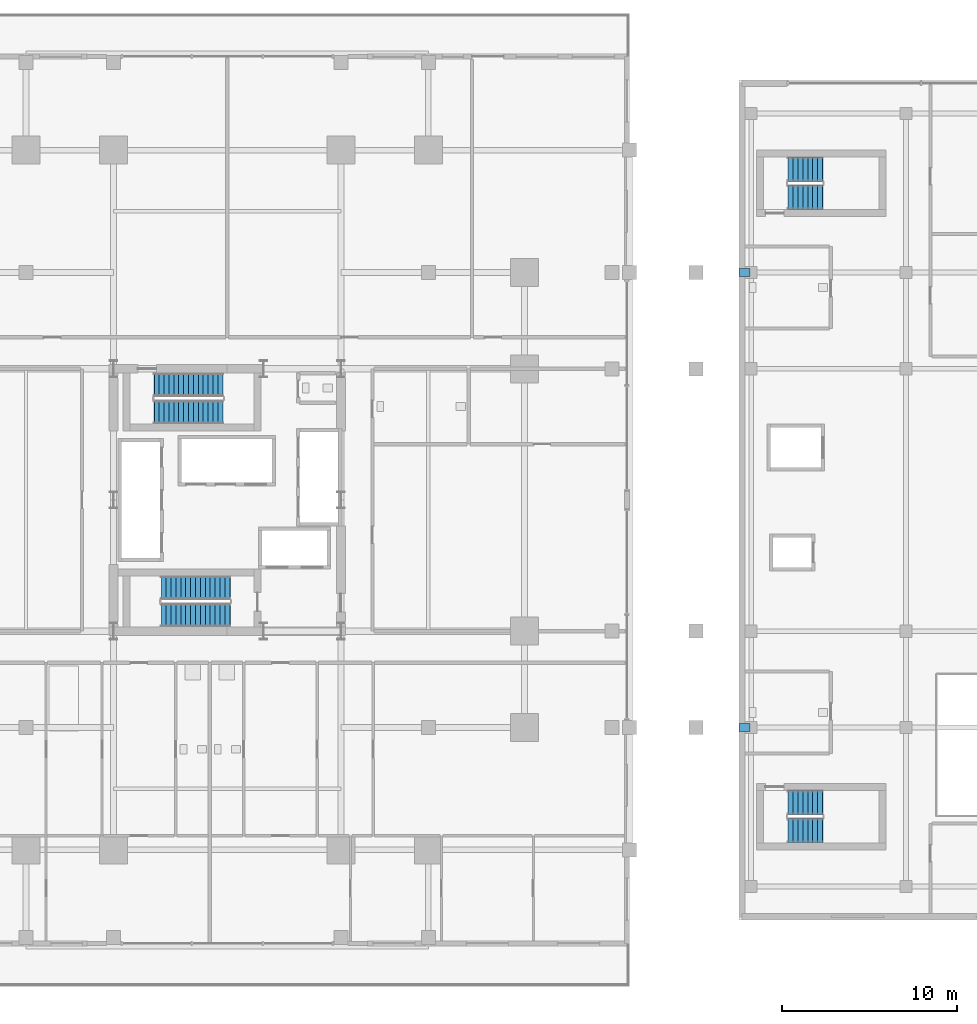
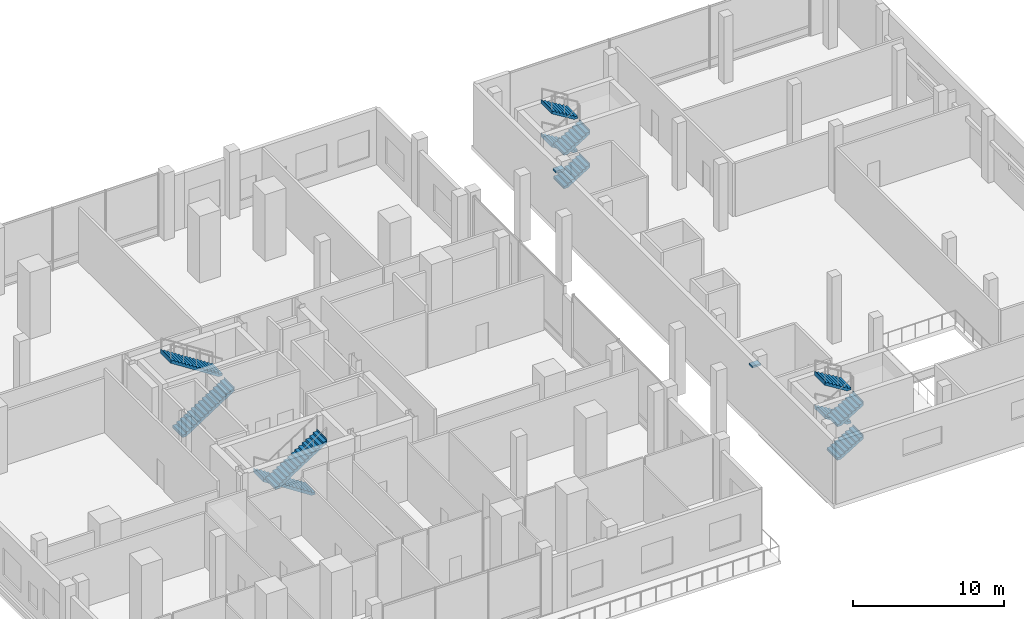
# One storey, part 25 of 32: 12 stair flights, 2 discrete accessories, 4 elements without a shape of their own.
"""IFC4 building model written with IfcOpenShell, lengths in metres."""

from ifc_helpers import new_model, si_unit, direction, frame, origin, origin_2d, place, context, subcontext, project, spatial, polyline, rectangle, outline, extrude, material, type_object, element, aggregate, save


model = new_model("IFC4")

# Units and contexts
model_context = context("Model", 3, precision=1e-05, world=origin(), true_north=direction((0.0, 1.0)))
body_context = subcontext(model_context, "Body", "Model", "MODEL_VIEW")
ifc_project = project(units=[si_unit("LENGTHUNIT", "METRE"), si_unit("AREAUNIT", "SQUARE_METRE"), si_unit("VOLUMEUNIT", "CUBIC_METRE"), si_unit("PLANEANGLEUNIT", "RADIAN"), si_unit("MASSUNIT", "GRAM", prefix="KILO")], contexts=[model_context])

# Site, building, storey
site_placement = place(None, origin())
site = spatial("IfcSite", under=ifc_project, at=site_placement, CompositionType="ELEMENT")
building_placement = place(site_placement, origin())
building = spatial("IfcBuilding", under=site, at=building_placement, Name="Barlavira Tower and Art Museum", CompositionType="ELEMENT")
storey_placement = place(building_placement, frame((0.0, 0.0, 6.0)))
storey = spatial("IfcBuildingStorey", under=building, at=storey_placement, Name="L01", CompositionType="ELEMENT", Elevation=6.0)

# Stair, stair flights
ifc_material_1 = material(Name="Concrete C45", Category="concrete")
stair_type_1 = type_object("IfcStairType", Name="Museum North Dog-Leg Exit Stair Assembly Concrete C45", PredefinedType="TWO_QUARTER_TURN_STAIR", material=ifc_material_1)
stair_1_placement = place(storey_placement, origin())
stair_1 = element("IfcStair", 1, at=stair_1_placement, inside=storey, type_object=stair_type_1, Name="L01 Museum North Exit Stair ST-M2", PredefinedType="TWO_QUARTER_TURN_STAIR")
ifc_material_2 = material(Name="Precast concrete C45", Category="concrete")
stair_flight_type_1 = type_object("IfcStairFlightType", Name="Museum North Dog-Leg Exit Stair Precast Flight 1400 Concrete C45", PredefinedType="STRAIGHT", material=ifc_material_2)
stair_flight_1_placement = place(storey_placement, frame((32.070068359375, 17.300048828125, 0.0), z_axis=(0.0, 0.0, 1.0), x_axis=(1.0, 0.0, 0.0)))
stair_flight_1 = element("IfcStairFlight", 2, at=stair_flight_1_placement, type_object=stair_flight_type_1, Name="ST-M2 flight 1", NumberOfRisers=8, NumberOfTreads=7, PredefinedType="STRAIGHT", RiserHeight=0.16875, TreadLength=0.28, context=body_context, shape_type="SweptSolid", body=[
    extrude(outline(polyline([(-0.02490234375, 0.0), (0.0, 0.0), (0.0, 0.168701171875), (0.280029296875, 0.168701171875), (0.280029296875, 0.33740234375), (0.56005859375, 0.33740234375), (0.56005859375, 0.50634765625), (0.840087890625, 0.50634765625), (0.840087890625, 0.675048828125), (1.1201171875, 0.675048828125), (1.1201171875, 0.84375), (1.39990234375, 0.84375), (1.39990234375, 1.012451171875), (1.679931640625, 1.012451171875), (1.679931640625, 1.18115234375), (1.9599609375, 1.18115234375), (1.9599609375, 1.35009765625), (1.98486328125, 1.35009765625), (1.98486328125, 1.00634765625), (1.9599609375, 1.00634765625), (0.29052734375, -0.02490234375), (-0.02490234375, -0.02490234375), (-0.02490234375, 0.0)])), frame((0.0, 0.699951171875, 0.0), z_axis=(0.0, -1.0, 0.0), x_axis=(1.0, 0.0, 0.0)), (0.0, 0.0, 1.0), 1.39990234375),
])
stair_flight_2_placement = place(storey_placement, frame((34.030029296875, 18.89990234375, 1.35009765625), z_axis=(0.0, 0.0, 1.0), x_axis=(-1.0, 0.0, 0.0)))
stair_flight_2 = element("IfcStairFlight", 3, at=stair_flight_2_placement, type_object=stair_flight_type_1, Name="ST-M2 flight 2", NumberOfRisers=8, NumberOfTreads=7, PredefinedType="STRAIGHT", RiserHeight=0.16875, TreadLength=0.28, context=body_context, shape_type="SweptSolid", body=[
    extrude(outline(polyline([(-0.02490234375, 0.0), (0.0, 0.0), (0.0, 0.168701171875), (0.280029296875, 0.168701171875), (0.280029296875, 0.33740234375), (0.56005859375, 0.33740234375), (0.56005859375, 0.50634765625), (0.840087890625, 0.50634765625), (0.840087890625, 0.675048828125), (1.1201171875, 0.675048828125), (1.1201171875, 0.84375), (1.39990234375, 0.84375), (1.39990234375, 1.012451171875), (1.679931640625, 1.012451171875), (1.679931640625, 1.18115234375), (1.9599609375, 1.18115234375), (1.9599609375, 1.35009765625), (1.98486328125, 1.35009765625), (1.98486328125, 1.00634765625), (1.9599609375, 1.00634765625), (0.29052734375, -0.02490234375), (-0.02490234375, -0.02490234375), (-0.02490234375, 0.0)])), frame((0.0, 0.699951171875, 0.0), z_axis=(0.0, -1.0, 0.0), x_axis=(1.0, 0.0, 0.0)), (0.0, 0.0, 1.0), 1.39990234375),
])
stair_flight_3_placement = place(storey_placement, frame((32.070068359375, 17.300048828125, 2.699951171875), z_axis=(0.0, 0.0, 1.0), x_axis=(1.0, 0.0, 0.0)))
stair_flight_3 = element("IfcStairFlight", 4, at=stair_flight_3_placement, type_object=stair_flight_type_1, Name="ST-M2 flight 3", NumberOfRisers=8, NumberOfTreads=7, PredefinedType="STRAIGHT", RiserHeight=0.16875, TreadLength=0.28, context=body_context, shape_type="SweptSolid", body=[
    extrude(outline(polyline([(-0.02490234375, 0.0), (0.0, 0.0), (0.0, 0.168701171875), (0.280029296875, 0.168701171875), (0.280029296875, 0.33740234375), (0.56005859375, 0.33740234375), (0.56005859375, 0.50634765625), (0.840087890625, 0.50634765625), (0.840087890625, 0.675048828125), (1.1201171875, 0.675048828125), (1.1201171875, 0.84375), (1.39990234375, 0.84375), (1.39990234375, 1.012451171875), (1.679931640625, 1.012451171875), (1.679931640625, 1.18115234375), (1.9599609375, 1.18115234375), (1.9599609375, 1.35009765625), (1.98486328125, 1.35009765625), (1.98486328125, 1.00634765625), (1.9599609375, 1.00634765625), (0.29052734375, -0.02490234375), (-0.02490234375, -0.02490234375), (-0.02490234375, 0.0)])), frame((0.0, 0.699951171875, 0.0), z_axis=(0.0, -1.0, 0.0), x_axis=(1.0, 0.0, 0.0)), (0.0, 0.0, 1.0), 1.39990234375),
])
stair_flight_4_placement = place(storey_placement, frame((34.030029296875, 18.89990234375, 4.050048828125), z_axis=(0.0, 0.0, 1.0), x_axis=(-1.0, 0.0, 0.0)))
stair_flight_4 = element("IfcStairFlight", 5, at=stair_flight_4_placement, type_object=stair_flight_type_1, Name="ST-M2 flight 4", NumberOfRisers=8, NumberOfTreads=7, PredefinedType="STRAIGHT", RiserHeight=0.16875, TreadLength=0.28, context=body_context, shape_type="SweptSolid", body=[
    extrude(outline(polyline([(-0.02490234375, 0.0), (0.0, 0.0), (0.0, 0.168701171875), (0.280029296875, 0.168701171875), (0.280029296875, 0.33740234375), (0.56005859375, 0.33740234375), (0.56005859375, 0.50634765625), (0.840087890625, 0.50634765625), (0.840087890625, 0.675048828125), (1.1201171875, 0.675048828125), (1.1201171875, 0.84375), (1.39990234375, 0.84375), (1.39990234375, 1.012451171875), (1.679931640625, 1.012451171875), (1.679931640625, 1.18115234375), (1.9599609375, 1.18115234375), (1.9599609375, 1.35009765625), (1.98486328125, 1.35009765625), (1.98486328125, 1.00634765625), (1.9599609375, 1.00634765625), (0.29052734375, -0.02490234375), (-0.02490234375, -0.02490234375), (-0.02490234375, 0.0)])), frame((0.0, 0.699951171875, 0.0), z_axis=(0.0, -1.0, 0.0), x_axis=(1.0, 0.0, 0.0)), (0.0, 0.0, 1.0), 1.39990234375),
])
aggregate(stair_1, [stair_flight_1, stair_flight_2, stair_flight_3, stair_flight_4])

stair_type_2 = type_object("IfcStairType", Name="Museum South Dog-Leg Exit Stair Assembly Concrete C45", PredefinedType="TWO_QUARTER_TURN_STAIR", material=ifc_material_1)
stair_2_placement = place(storey_placement, origin())
stair_2 = element("IfcStair", 6, at=stair_2_placement, inside=storey, type_object=stair_type_2, Name="L01 Museum South Exit Stair ST-M1", PredefinedType="TWO_QUARTER_TURN_STAIR")
stair_flight_type_2 = type_object("IfcStairFlightType", Name="Museum South Dog-Leg Exit Stair Precast Flight 1400 Concrete C45", PredefinedType="STRAIGHT", material=ifc_material_2)
stair_flight_5_placement = place(storey_placement, frame((32.070068359375, -18.89990234375, 0.0), z_axis=(0.0, 0.0, 1.0), x_axis=(1.0, 0.0, 0.0)))
stair_flight_5 = element("IfcStairFlight", 7, at=stair_flight_5_placement, type_object=stair_flight_type_2, Name="ST-M1 flight 1", NumberOfRisers=8, NumberOfTreads=7, PredefinedType="STRAIGHT", RiserHeight=0.16875, TreadLength=0.28, context=body_context, shape_type="SweptSolid", body=[
    extrude(outline(polyline([(-0.02490234375, 0.0), (0.0, 0.0), (0.0, 0.168701171875), (0.280029296875, 0.168701171875), (0.280029296875, 0.33740234375), (0.56005859375, 0.33740234375), (0.56005859375, 0.50634765625), (0.840087890625, 0.50634765625), (0.840087890625, 0.675048828125), (1.1201171875, 0.675048828125), (1.1201171875, 0.84375), (1.39990234375, 0.84375), (1.39990234375, 1.012451171875), (1.679931640625, 1.012451171875), (1.679931640625, 1.18115234375), (1.9599609375, 1.18115234375), (1.9599609375, 1.35009765625), (1.98486328125, 1.35009765625), (1.98486328125, 1.00634765625), (1.9599609375, 1.00634765625), (0.29052734375, -0.02490234375), (-0.02490234375, -0.02490234375), (-0.02490234375, 0.0)])), frame((0.0, 0.699951171875, 0.0), z_axis=(0.0, -1.0, 0.0), x_axis=(1.0, 0.0, 0.0)), (0.0, 0.0, 1.0), 1.39990234375),
])
stair_flight_6_placement = place(storey_placement, frame((34.030029296875, -17.300048828125, 1.35009765625), z_axis=(0.0, 0.0, 1.0), x_axis=(-1.0, 0.0, 0.0)))
stair_flight_6 = element("IfcStairFlight", 8, at=stair_flight_6_placement, type_object=stair_flight_type_2, Name="ST-M1 flight 2", NumberOfRisers=8, NumberOfTreads=7, PredefinedType="STRAIGHT", RiserHeight=0.16875, TreadLength=0.28, context=body_context, shape_type="SweptSolid", body=[
    extrude(outline(polyline([(-0.02490234375, 0.0), (0.0, 0.0), (0.0, 0.168701171875), (0.280029296875, 0.168701171875), (0.280029296875, 0.33740234375), (0.56005859375, 0.33740234375), (0.56005859375, 0.50634765625), (0.840087890625, 0.50634765625), (0.840087890625, 0.675048828125), (1.1201171875, 0.675048828125), (1.1201171875, 0.84375), (1.39990234375, 0.84375), (1.39990234375, 1.012451171875), (1.679931640625, 1.012451171875), (1.679931640625, 1.18115234375), (1.9599609375, 1.18115234375), (1.9599609375, 1.35009765625), (1.98486328125, 1.35009765625), (1.98486328125, 1.00634765625), (1.9599609375, 1.00634765625), (0.29052734375, -0.02490234375), (-0.02490234375, -0.02490234375), (-0.02490234375, 0.0)])), frame((0.0, 0.699951171875, 0.0), z_axis=(0.0, -1.0, 0.0), x_axis=(1.0, 0.0, 0.0)), (0.0, 0.0, 1.0), 1.39990234375),
])
stair_flight_7_placement = place(storey_placement, frame((32.070068359375, -18.89990234375, 2.699951171875), z_axis=(0.0, 0.0, 1.0), x_axis=(1.0, 0.0, 0.0)))
stair_flight_7 = element("IfcStairFlight", 9, at=stair_flight_7_placement, type_object=stair_flight_type_2, Name="ST-M1 flight 3", NumberOfRisers=8, NumberOfTreads=7, PredefinedType="STRAIGHT", RiserHeight=0.16875, TreadLength=0.28, context=body_context, shape_type="SweptSolid", body=[
    extrude(outline(polyline([(-0.02490234375, 0.0), (0.0, 0.0), (0.0, 0.168701171875), (0.280029296875, 0.168701171875), (0.280029296875, 0.33740234375), (0.56005859375, 0.33740234375), (0.56005859375, 0.50634765625), (0.840087890625, 0.50634765625), (0.840087890625, 0.675048828125), (1.1201171875, 0.675048828125), (1.1201171875, 0.84375), (1.39990234375, 0.84375), (1.39990234375, 1.012451171875), (1.679931640625, 1.012451171875), (1.679931640625, 1.18115234375), (1.9599609375, 1.18115234375), (1.9599609375, 1.35009765625), (1.98486328125, 1.35009765625), (1.98486328125, 1.00634765625), (1.9599609375, 1.00634765625), (0.29052734375, -0.02490234375), (-0.02490234375, -0.02490234375), (-0.02490234375, 0.0)])), frame((0.0, 0.699951171875, 0.0), z_axis=(0.0, -1.0, 0.0), x_axis=(1.0, 0.0, 0.0)), (0.0, 0.0, 1.0), 1.39990234375),
])
stair_flight_8_placement = place(storey_placement, frame((34.030029296875, -17.300048828125, 4.050048828125), z_axis=(0.0, 0.0, 1.0), x_axis=(-1.0, 0.0, 0.0)))
stair_flight_8 = element("IfcStairFlight", 10, at=stair_flight_8_placement, type_object=stair_flight_type_2, Name="ST-M1 flight 4", NumberOfRisers=8, NumberOfTreads=7, PredefinedType="STRAIGHT", RiserHeight=0.16875, TreadLength=0.28, context=body_context, shape_type="SweptSolid", body=[
    extrude(outline(polyline([(-0.02490234375, 0.0), (0.0, 0.0), (0.0, 0.168701171875), (0.280029296875, 0.168701171875), (0.280029296875, 0.33740234375), (0.56005859375, 0.33740234375), (0.56005859375, 0.50634765625), (0.840087890625, 0.50634765625), (0.840087890625, 0.675048828125), (1.1201171875, 0.675048828125), (1.1201171875, 0.84375), (1.39990234375, 0.84375), (1.39990234375, 1.012451171875), (1.679931640625, 1.012451171875), (1.679931640625, 1.18115234375), (1.9599609375, 1.18115234375), (1.9599609375, 1.35009765625), (1.98486328125, 1.35009765625), (1.98486328125, 1.00634765625), (1.9599609375, 1.00634765625), (0.29052734375, -0.02490234375), (-0.02490234375, -0.02490234375), (-0.02490234375, 0.0)])), frame((0.0, 0.699951171875, 0.0), z_axis=(0.0, -1.0, 0.0), x_axis=(1.0, 0.0, 0.0)), (0.0, 0.0, 1.0), 1.39990234375),
])
aggregate(stair_2, [stair_flight_5, stair_flight_6, stair_flight_7, stair_flight_8])

stair_type_3 = type_object("IfcStairType", Name="Tower North Dog-Leg Exit Stair Assembly Concrete C45", PredefinedType="TWO_QUARTER_TURN_STAIR", material=ifc_material_1)
stair_3_placement = place(storey_placement, origin())
stair_3 = element("IfcStair", 11, at=stair_3_placement, inside=storey, type_object=stair_type_3, Name="L01 Tower North Exit Stair ST-T2", PredefinedType="TWO_QUARTER_TURN_STAIR")
stair_flight_type_3 = type_object("IfcStairFlightType", Name="Tower North Dog-Leg Exit Stair Precast Flight 1350 Concrete C45", PredefinedType="STRAIGHT", material=ifc_material_2)
stair_flight_9_placement = place(storey_placement, frame((-4.169921875, 5.02490234375, 0.0), z_axis=(0.0, 0.0, 1.0), x_axis=(1.0, 0.0, 0.0)))
stair_flight_9 = element("IfcStairFlight", 12, at=stair_flight_9_placement, type_object=stair_flight_type_3, Name="ST-T2 flight 1", NumberOfRisers=15, NumberOfTreads=14, PredefinedType="STRAIGHT", RiserHeight=0.18, TreadLength=0.28, context=body_context, shape_type="SweptSolid", body=[
    extrude(outline(polyline([(-0.02490234375, 0.0), (0.0, 0.0), (0.0, 0.179931640625), (0.280029296875, 0.179931640625), (0.280029296875, 0.360107421875), (0.56005859375, 0.360107421875), (0.56005859375, 0.5400390625), (0.840087890625, 0.5400390625), (0.840087890625, 0.719970703125), (1.1201171875, 0.719970703125), (1.1201171875, 0.89990234375), (1.39990234375, 0.89990234375), (1.39990234375, 1.080078125), (1.679931640625, 1.080078125), (1.679931640625, 1.260009765625), (1.9599609375, 1.260009765625), (1.9599609375, 1.43994140625), (2.239990234375, 1.43994140625), (2.239990234375, 1.6201171875), (2.52001953125, 1.6201171875), (2.52001953125, 1.800048828125), (2.800048828125, 1.800048828125), (2.800048828125, 1.97998046875), (3.080078125, 1.97998046875), (3.080078125, 2.159912109375), (3.360107421875, 2.159912109375), (3.360107421875, 2.340087890625), (3.639892578125, 2.340087890625), (3.639892578125, 2.52001953125), (3.919921875, 2.52001953125), (3.919921875, 2.699951171875), (3.94482421875, 2.699951171875), (3.94482421875, 2.341796875), (3.919921875, 2.341796875), (0.277099609375, -0.02490234375), (-0.02490234375, -0.02490234375), (-0.02490234375, 0.0)])), frame((0.0, 0.675048828125, 0.0), z_axis=(0.0, -1.0, 0.0), x_axis=(1.0, 0.0, 0.0)), (0.0, 0.0, 1.0), 1.35009765625),
])
stair_flight_10_placement = place(storey_placement, frame((-0.25, 6.574951171875, 2.699951171875), z_axis=(0.0, 0.0, 1.0), x_axis=(-1.0, 0.0, 0.0)))
stair_flight_10 = element("IfcStairFlight", 13, at=stair_flight_10_placement, type_object=stair_flight_type_3, Name="ST-T2 flight 2", NumberOfRisers=15, NumberOfTreads=14, PredefinedType="STRAIGHT", RiserHeight=0.18, TreadLength=0.28, context=body_context, shape_type="SweptSolid", body=[
    extrude(outline(polyline([(-0.02490234375, 0.0), (0.0, 0.0), (0.0, 0.179931640625), (0.280029296875, 0.179931640625), (0.280029296875, 0.360107421875), (0.56005859375, 0.360107421875), (0.56005859375, 0.5400390625), (0.840087890625, 0.5400390625), (0.840087890625, 0.719970703125), (1.1201171875, 0.719970703125), (1.1201171875, 0.89990234375), (1.39990234375, 0.89990234375), (1.39990234375, 1.080078125), (1.679931640625, 1.080078125), (1.679931640625, 1.260009765625), (1.9599609375, 1.260009765625), (1.9599609375, 1.43994140625), (2.239990234375, 1.43994140625), (2.239990234375, 1.6201171875), (2.52001953125, 1.6201171875), (2.52001953125, 1.800048828125), (2.800048828125, 1.800048828125), (2.800048828125, 1.97998046875), (3.080078125, 1.97998046875), (3.080078125, 2.159912109375), (3.360107421875, 2.159912109375), (3.360107421875, 2.340087890625), (3.639892578125, 2.340087890625), (3.639892578125, 2.52001953125), (3.919921875, 2.52001953125), (3.919921875, 2.699951171875), (3.94482421875, 2.699951171875), (3.94482421875, 2.341796875), (3.919921875, 2.341796875), (0.277099609375, -0.02490234375), (-0.02490234375, -0.02490234375), (-0.02490234375, 0.0)])), frame((0.0, 0.675048828125, 0.0), z_axis=(0.0, -1.0, 0.0), x_axis=(1.0, 0.0, 0.0)), (0.0, 0.0, 1.0), 1.35009765625),
])
aggregate(stair_3, [stair_flight_9, stair_flight_10])

stair_type_4 = type_object("IfcStairType", Name="Tower South Dog-Leg Exit Stair Assembly Concrete C45", PredefinedType="TWO_QUARTER_TURN_STAIR", material=ifc_material_1)
stair_4_placement = place(storey_placement, origin())
stair_4 = element("IfcStair", 14, at=stair_4_placement, inside=storey, type_object=stair_type_4, Name="L01 Tower South Exit Stair ST-T1", PredefinedType="TWO_QUARTER_TURN_STAIR")
stair_flight_type_4 = type_object("IfcStairFlightType", Name="Tower South Dog-Leg Exit Stair Precast Flight 1350 Concrete C45", PredefinedType="STRAIGHT", material=ifc_material_2)
stair_flight_11_placement = place(storey_placement, frame((0.14990234375, -5.02490234375, 0.0), z_axis=(0.0, 0.0, 1.0), x_axis=(-1.0, 0.0, 0.0)))
stair_flight_11 = element("IfcStairFlight", 15, at=stair_flight_11_placement, type_object=stair_flight_type_4, Name="ST-T1 flight 1", NumberOfRisers=15, NumberOfTreads=14, PredefinedType="STRAIGHT", RiserHeight=0.18, TreadLength=0.28, context=body_context, shape_type="SweptSolid", body=[
    extrude(outline(polyline([(-0.02490234375, 0.0), (0.0, 0.0), (0.0, 0.179931640625), (0.280029296875, 0.179931640625), (0.280029296875, 0.360107421875), (0.56005859375, 0.360107421875), (0.56005859375, 0.5400390625), (0.840087890625, 0.5400390625), (0.840087890625, 0.719970703125), (1.1201171875, 0.719970703125), (1.1201171875, 0.89990234375), (1.39990234375, 0.89990234375), (1.39990234375, 1.080078125), (1.679931640625, 1.080078125), (1.679931640625, 1.260009765625), (1.9599609375, 1.260009765625), (1.9599609375, 1.43994140625), (2.239990234375, 1.43994140625), (2.239990234375, 1.6201171875), (2.52001953125, 1.6201171875), (2.52001953125, 1.800048828125), (2.800048828125, 1.800048828125), (2.800048828125, 1.97998046875), (3.080078125, 1.97998046875), (3.080078125, 2.159912109375), (3.360107421875, 2.159912109375), (3.360107421875, 2.340087890625), (3.639892578125, 2.340087890625), (3.639892578125, 2.52001953125), (3.919921875, 2.52001953125), (3.919921875, 2.699951171875), (3.94482421875, 2.699951171875), (3.94482421875, 2.341796875), (3.919921875, 2.341796875), (0.277099609375, -0.02490234375), (-0.02490234375, -0.02490234375), (-0.02490234375, 0.0)])), frame((0.0, 0.675048828125, 0.0), z_axis=(0.0, -1.0, 0.0), x_axis=(1.0, 0.0, 0.0)), (0.0, 0.0, 1.0), 1.35009765625),
])
stair_flight_12_placement = place(storey_placement, frame((-3.77001953125, -6.574951171875, 2.699951171875), z_axis=(0.0, 0.0, 1.0), x_axis=(1.0, 0.0, 0.0)))
stair_flight_12 = element("IfcStairFlight", 16, at=stair_flight_12_placement, type_object=stair_flight_type_4, Name="ST-T1 flight 2", NumberOfRisers=15, NumberOfTreads=14, PredefinedType="STRAIGHT", RiserHeight=0.18, TreadLength=0.28, context=body_context, shape_type="SweptSolid", body=[
    extrude(outline(polyline([(-0.02490234375, 0.0), (0.0, 0.0), (0.0, 0.179931640625), (0.280029296875, 0.179931640625), (0.280029296875, 0.360107421875), (0.56005859375, 0.360107421875), (0.56005859375, 0.5400390625), (0.840087890625, 0.5400390625), (0.840087890625, 0.719970703125), (1.1201171875, 0.719970703125), (1.1201171875, 0.89990234375), (1.39990234375, 0.89990234375), (1.39990234375, 1.080078125), (1.679931640625, 1.080078125), (1.679931640625, 1.260009765625), (1.9599609375, 1.260009765625), (1.9599609375, 1.43994140625), (2.239990234375, 1.43994140625), (2.239990234375, 1.6201171875), (2.52001953125, 1.6201171875), (2.52001953125, 1.800048828125), (2.800048828125, 1.800048828125), (2.800048828125, 1.97998046875), (3.080078125, 1.97998046875), (3.080078125, 2.159912109375), (3.360107421875, 2.159912109375), (3.360107421875, 2.340087890625), (3.639892578125, 2.340087890625), (3.639892578125, 2.52001953125), (3.919921875, 2.52001953125), (3.919921875, 2.699951171875), (3.94482421875, 2.699951171875), (3.94482421875, 2.341796875), (3.919921875, 2.341796875), (0.277099609375, -0.02490234375), (-0.02490234375, -0.02490234375), (-0.02490234375, 0.0)])), frame((0.0, 0.675048828125, 0.0), z_axis=(0.0, -1.0, 0.0), x_axis=(1.0, 0.0, 0.0)), (0.0, 0.0, 1.0), 1.35009765625),
])
aggregate(stair_4, [stair_flight_11, stair_flight_12])

# Discrete accessories
ifc_material_3 = material(Name="Steel S355", Category="steel")
discrete_accessory_type = type_object("IfcDiscreteAccessoryType", Name="Unguided PTFE Elastomeric Sliding Bearing 650x450 Steel S355", PredefinedType="BRACKET", material=ifc_material_3)
for number, where, z_axis, x_axis, name in (
    (17, (29.574951171875, -13.0, 4.541015625), (0.0, 0.0, 1.0), (1.0, 0.0, 0.0), "Unguided PTFE Sliding Bearing Corbel Seat SB-01"),
    (18, (29.574951171875, 13.0, 4.541015625), (0.0, 0.0, 1.0), (1.0, 0.0, 0.0), "Unguided PTFE Sliding Bearing Corbel Seat SB-02"),
):
    element("IfcDiscreteAccessory", number, at=place(storey_placement, frame(where, z_axis=z_axis, x_axis=x_axis)), inside=storey, type_object=discrete_accessory_type, Name=name, PredefinedType="BRACKET", context=body_context, shape_type="SweptSolid", body=[
        extrude(rectangle(XDim=0.64990234375, YDim=0.449951171875, at=origin_2d()), origin(), (0.0, 0.0, 1.0), 0.159912109375),
    ])

save(model, "model.ifc")
